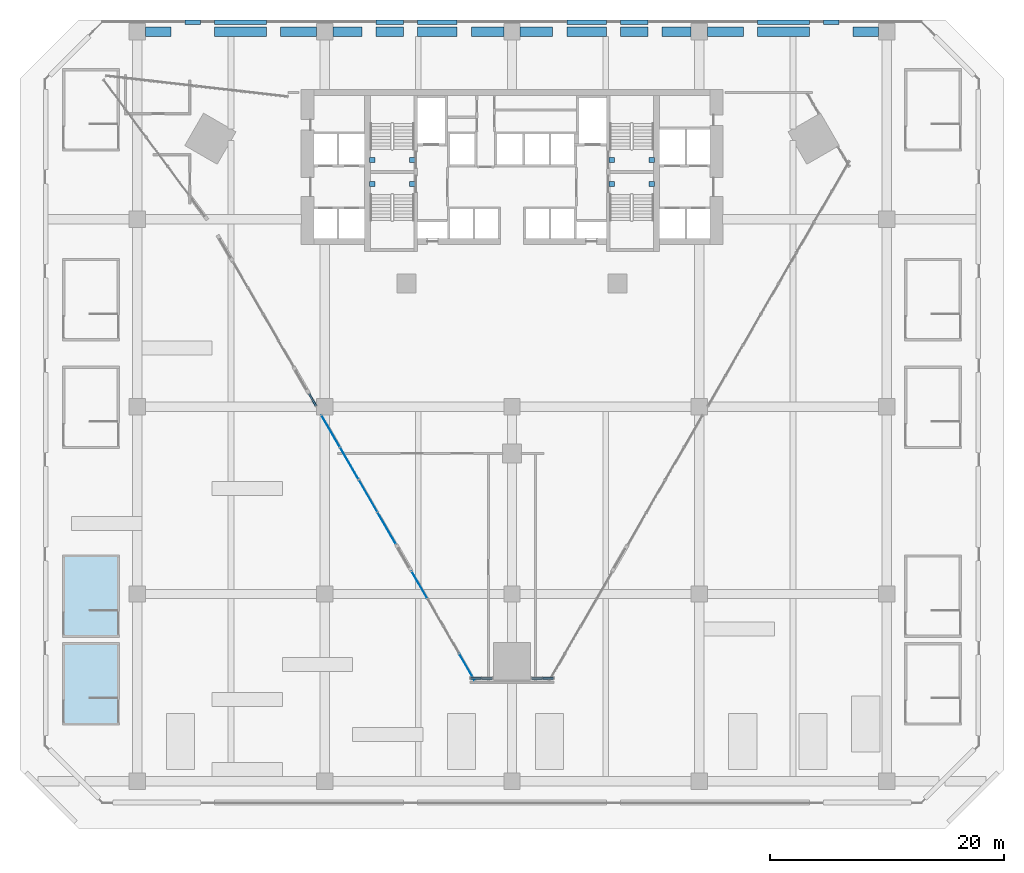
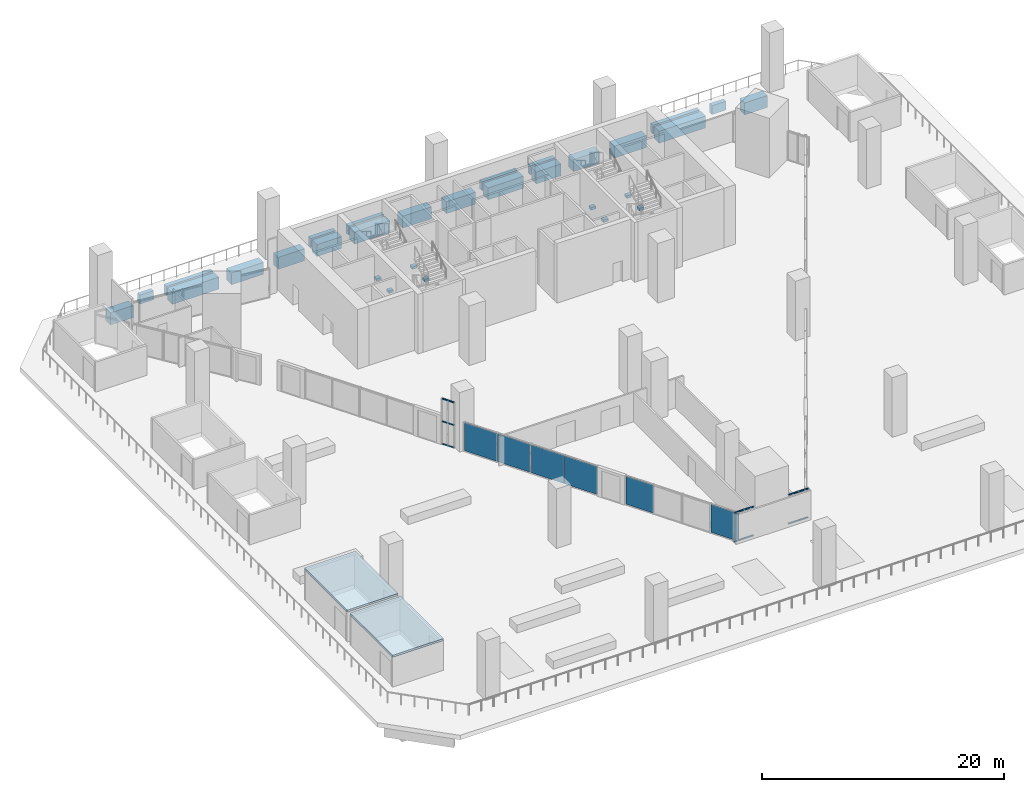
# One storey, part 13 of 25: 30 beams, 14 members, 6 plates, 2 slabs, 7 elements without a shape of their own.
"""IFC4 building model written with IfcOpenShell, lengths in metres."""

from ifc_helpers import new_model, si_unit, direction, frame, origin, origin_2d, place, context, subcontext, project, spatial, polyline, rectangle, outline, extrude, material, layer, layer_set, material_profile, profile_set, type_object, element, aggregate, save


model = new_model("IFC4")

# Units and contexts
model_context = context("Model", 3, precision=1e-05, world=origin(), true_north=direction((0.0, 1.0)))
body_context = subcontext(model_context, "Body", "Model", "MODEL_VIEW")
ifc_project = project(units=[si_unit("LENGTHUNIT", "METRE"), si_unit("AREAUNIT", "SQUARE_METRE"), si_unit("VOLUMEUNIT", "CUBIC_METRE"), si_unit("PLANEANGLEUNIT", "RADIAN"), si_unit("MASSUNIT", "GRAM", prefix="KILO")], contexts=[model_context])

# Site, building, storey
site_placement = place(None, origin())
site = spatial("IfcSite", under=ifc_project, at=site_placement, CompositionType="ELEMENT")
building_placement = place(site_placement, origin())
building = spatial("IfcBuilding", under=site, at=building_placement, Name="Calabash Gate Tower", CompositionType="ELEMENT")
storey_placement = place(building_placement, frame((0.0, 0.0, 40.0)))
storey = spatial("IfcBuildingStorey", under=building, at=storey_placement, Name="L05", CompositionType="ELEMENT", Elevation=40.0)

# Beams
ifc_material_1 = material(Name="Concrete C50/60", Category="concrete")
ifc_material_profile_1 = material_profile(ifc_material_1, rectangle(XDim=0.39990234375, YDim=0.89990234375, at=origin_2d()))
ifc_profile_set_1 = profile_set([ifc_material_profile_1], Name="Concrete C50/60")
beam_type_1 = type_object("IfcBeamType", Name="Edge beam RC 400x900 Concrete C50/60", PredefinedType="BEAM", material=ifc_profile_set_1)
beam_1_placement = place(storey_placement, frame((-27.919921875, 24.800048828125, -0.89990234375), z_axis=(1.0, 0.0, 0.0), x_axis=(0.0, 1.0, 0.0)))
element("IfcBeam", 1, at=beam_1_placement, inside=storey, type_object=beam_type_1, Name="Edge beam L05 10", PredefinedType="BEAM", context=body_context, shape_type="SweptSolid", body=[
    extrude(rectangle(XDim=0.39990234375, YDim=0.89990234375, at=origin_2d()), origin(), (0.0, 0.0, 1.0), 1.31787109375),
])
beam_2_placement = place(storey_placement, frame((-25.40087890625, 24.800048828125, -0.89990234375), z_axis=(1.0, 0.0, 0.0), x_axis=(0.0, 1.0, 0.0)))
element("IfcBeam", 2, at=beam_2_placement, inside=storey, type_object=beam_type_1, Name="Edge beam L05 11", PredefinedType="BEAM", context=body_context, shape_type="SweptSolid", body=[
    extrude(rectangle(XDim=0.39990234375, YDim=0.89990234375, at=origin_2d()), origin(), (0.0, 0.0, 1.0), 4.428955078125),
])
beam_3_placement = place(storey_placement, frame((-11.623046875, 24.800048828125, -0.89990234375), z_axis=(1.0, 0.0, 0.0), x_axis=(0.0, 1.0, 0.0)))
element("IfcBeam", 3, at=beam_3_placement, inside=storey, type_object=beam_type_1, Name="Edge beam L05 12", PredefinedType="BEAM", context=body_context, shape_type="SweptSolid", body=[
    extrude(rectangle(XDim=0.39990234375, YDim=0.89990234375, at=origin_2d()), origin(), (0.0, 0.0, 1.0), 2.35595703125),
])
for number, where, z_axis, x_axis, name in (
    (4, (-8.06689453125, 24.800048828125, -0.89990234375), (1.0, 0.0, 0.0), (0.0, 1.0, 0.0), "Edge beam L05 13"),
    (5, (4.674072265625, 24.800048828125, -0.89990234375), (1.0, 0.0, 0.0), (0.0, 1.0, 0.0), "Edge beam L05 14"),
):
    element("IfcBeam", number, at=place(storey_placement, frame(where, z_axis=z_axis, x_axis=x_axis)), inside=storey, type_object=beam_type_1, Name=name, PredefinedType="BEAM", context=body_context, shape_type="SweptSolid", body=[
        extrude(rectangle(XDim=0.39990234375, YDim=0.89990234375, at=origin_2d()), origin(), (0.0, 0.0, 1.0), 3.392822265625),
    ])
beam_4_placement = place(storey_placement, frame((9.26708984375, 24.800048828125, -0.89990234375), z_axis=(1.0, 0.0, 0.0), x_axis=(0.0, 1.0, 0.0)))
element("IfcBeam", 6, at=beam_4_placement, inside=storey, type_object=beam_type_1, Name="Edge beam L05 15", PredefinedType="BEAM", context=body_context, shape_type="SweptSolid", body=[
    extrude(rectangle(XDim=0.39990234375, YDim=0.89990234375, at=origin_2d()), origin(), (0.0, 0.0, 1.0), 2.35595703125),
])
beam_5_placement = place(storey_placement, frame((20.971923828125, 24.800048828125, -0.89990234375), z_axis=(1.0, 0.0, 0.0), x_axis=(0.0, 1.0, 0.0)))
element("IfcBeam", 7, at=beam_5_placement, inside=storey, type_object=beam_type_1, Name="Edge beam L05 16", PredefinedType="BEAM", context=body_context, shape_type="SweptSolid", body=[
    extrude(rectangle(XDim=0.39990234375, YDim=0.89990234375, at=origin_2d()), origin(), (0.0, 0.0, 1.0), 4.428955078125),
])
beam_6_placement = place(storey_placement, frame((26.60205078125, 24.800048828125, -0.89990234375), z_axis=(1.0, 0.0, 0.0), x_axis=(0.0, 1.0, 0.0)))
element("IfcBeam", 8, at=beam_6_placement, inside=storey, type_object=beam_type_1, Name="Edge beam L05 17", PredefinedType="BEAM", context=body_context, shape_type="SweptSolid", body=[
    extrude(rectangle(XDim=0.39990234375, YDim=0.89990234375, at=origin_2d()), origin(), (0.0, 0.0, 1.0), 1.31787109375),
])
ifc_material_2 = material(Name="Concrete C50/60", Category="concrete")
ifc_material_profile_2 = material_profile(ifc_material_2, rectangle(XDim=0.800048828125, YDim=1.199951171875, at=origin_2d()))
ifc_profile_set_2 = profile_set([ifc_material_profile_2], Name="Concrete C50/60")
beam_type_2 = type_object("IfcBeamType", Name="Grid girder RC 800x1200 Concrete C50/60", PredefinedType="BEAM", material=ifc_profile_set_2)
beam_7_placement = place(storey_placement, frame((-31.300048828125, 24.0, -1.050048828125), z_axis=(1.0, 0.0, 0.0), x_axis=(0.0, 1.0, 0.0)))
element("IfcBeam", 9, at=beam_7_placement, inside=storey, type_object=beam_type_2, Name="Grid girder L05 42", PredefinedType="BEAM", context=body_context, shape_type="SweptSolid", body=[
    extrude(rectangle(XDim=0.800048828125, YDim=1.199951171875, at=origin_2d()), origin(), (0.0, 0.0, 1.0), 2.179931640625),
])
beam_8_placement = place(storey_placement, frame((-25.40087890625, 24.0, -1.050048828125), z_axis=(1.0, 0.0, 0.0), x_axis=(0.0, 1.0, 0.0)))
element("IfcBeam", 10, at=beam_8_placement, inside=storey, type_object=beam_type_2, Name="Grid girder L05 43", PredefinedType="BEAM", context=body_context, shape_type="SweptSolid", body=[
    extrude(rectangle(XDim=0.800048828125, YDim=1.199951171875, at=origin_2d()), origin(), (0.0, 0.0, 1.0), 4.428955078125),
])
beam_9_placement = place(storey_placement, frame((-19.77099609375, 24.0, -1.050048828125), z_axis=(1.0, 0.0, 0.0), x_axis=(0.0, 1.0, 0.0)))
element("IfcBeam", 11, at=beam_9_placement, inside=storey, type_object=beam_type_2, Name="Grid girder L05 44", PredefinedType="BEAM", context=body_context, shape_type="SweptSolid", body=[
    extrude(rectangle(XDim=0.800048828125, YDim=1.199951171875, at=origin_2d()), origin(), (0.0, 0.0, 1.0), 3.071044921875),
])
beam_10_placement = place(storey_placement, frame((-15.300048828125, 24.0, -1.050048828125), z_axis=(1.0, 0.0, 0.0), x_axis=(0.0, 1.0, 0.0)))
element("IfcBeam", 12, at=beam_10_placement, inside=storey, type_object=beam_type_2, Name="Grid girder L05 45", PredefinedType="BEAM", context=body_context, shape_type="SweptSolid", body=[
    extrude(rectangle(XDim=0.800048828125, YDim=1.199951171875, at=origin_2d()), origin(), (0.0, 0.0, 1.0), 2.47705078125),
])
beam_11_placement = place(storey_placement, frame((-11.623046875, 24.0, -1.050048828125), z_axis=(1.0, 0.0, 0.0), x_axis=(0.0, 1.0, 0.0)))
element("IfcBeam", 13, at=beam_11_placement, inside=storey, type_object=beam_type_2, Name="Grid girder L05 46", PredefinedType="BEAM", context=body_context, shape_type="SweptSolid", body=[
    extrude(rectangle(XDim=0.800048828125, YDim=1.199951171875, at=origin_2d()), origin(), (0.0, 0.0, 1.0), 2.35595703125),
])
beam_12_placement = place(storey_placement, frame((-8.06689453125, 24.0, -1.050048828125), z_axis=(1.0, 0.0, 0.0), x_axis=(0.0, 1.0, 0.0)))
element("IfcBeam", 14, at=beam_12_placement, inside=storey, type_object=beam_type_2, Name="Grid girder L05 47", PredefinedType="BEAM", context=body_context, shape_type="SweptSolid", body=[
    extrude(rectangle(XDim=0.800048828125, YDim=1.199951171875, at=origin_2d()), origin(), (0.0, 0.0, 1.0), 3.392822265625),
])
for number, where, z_axis, x_axis, name in (
    (15, (-3.47412109375, 24.0, -1.050048828125), (1.0, 0.0, 0.0), (0.0, 1.0, 0.0), "Grid girder L05 48"),
    (16, (0.699951171875, 24.0, -1.050048828125), (1.0, 0.0, 0.0), (0.0, 1.0, 0.0), "Grid girder L05 49"),
):
    element("IfcBeam", number, at=place(storey_placement, frame(where, z_axis=z_axis, x_axis=x_axis)), inside=storey, type_object=beam_type_2, Name=name, PredefinedType="BEAM", context=body_context, shape_type="SweptSolid", body=[
        extrude(rectangle(XDim=0.800048828125, YDim=1.199951171875, at=origin_2d()), origin(), (0.0, 0.0, 1.0), 2.774169921875),
    ])
beam_13_placement = place(storey_placement, frame((4.674072265625, 24.0, -1.050048828125), z_axis=(1.0, 0.0, 0.0), x_axis=(0.0, 1.0, 0.0)))
element("IfcBeam", 17, at=beam_13_placement, inside=storey, type_object=beam_type_2, Name="Grid girder L05 50", PredefinedType="BEAM", context=body_context, shape_type="SweptSolid", body=[
    extrude(rectangle(XDim=0.800048828125, YDim=1.199951171875, at=origin_2d()), origin(), (0.0, 0.0, 1.0), 3.392822265625),
])
beam_14_placement = place(storey_placement, frame((9.26708984375, 24.0, -1.050048828125), z_axis=(1.0, 0.0, 0.0), x_axis=(0.0, 1.0, 0.0)))
element("IfcBeam", 18, at=beam_14_placement, inside=storey, type_object=beam_type_2, Name="Grid girder L05 51", PredefinedType="BEAM", context=body_context, shape_type="SweptSolid", body=[
    extrude(rectangle(XDim=0.800048828125, YDim=1.199951171875, at=origin_2d()), origin(), (0.0, 0.0, 1.0), 2.35595703125),
])
beam_15_placement = place(storey_placement, frame((12.822998046875, 24.0, -1.050048828125), z_axis=(1.0, 0.0, 0.0), x_axis=(0.0, 1.0, 0.0)))
element("IfcBeam", 19, at=beam_15_placement, inside=storey, type_object=beam_type_2, Name="Grid girder L05 52", PredefinedType="BEAM", context=body_context, shape_type="SweptSolid", body=[
    extrude(rectangle(XDim=0.800048828125, YDim=1.199951171875, at=origin_2d()), origin(), (0.0, 0.0, 1.0), 2.47705078125),
])
beam_16_placement = place(storey_placement, frame((16.699951171875, 24.0, -1.050048828125), z_axis=(1.0, 0.0, 0.0), x_axis=(0.0, 1.0, 0.0)))
element("IfcBeam", 20, at=beam_16_placement, inside=storey, type_object=beam_type_2, Name="Grid girder L05 53", PredefinedType="BEAM", context=body_context, shape_type="SweptSolid", body=[
    extrude(rectangle(XDim=0.800048828125, YDim=1.199951171875, at=origin_2d()), origin(), (0.0, 0.0, 1.0), 3.071044921875),
])
beam_17_placement = place(storey_placement, frame((20.971923828125, 24.0, -1.050048828125), z_axis=(1.0, 0.0, 0.0), x_axis=(0.0, 1.0, 0.0)))
element("IfcBeam", 21, at=beam_17_placement, inside=storey, type_object=beam_type_2, Name="Grid girder L05 54", PredefinedType="BEAM", context=body_context, shape_type="SweptSolid", body=[
    extrude(rectangle(XDim=0.800048828125, YDim=1.199951171875, at=origin_2d()), origin(), (0.0, 0.0, 1.0), 4.428955078125),
])
beam_18_placement = place(storey_placement, frame((29.1201171875, 24.0, -1.050048828125), z_axis=(1.0, 0.0, 0.0), x_axis=(0.0, 1.0, 0.0)))
element("IfcBeam", 22, at=beam_18_placement, inside=storey, type_object=beam_type_2, Name="Grid girder L05 55", PredefinedType="BEAM", context=body_context, shape_type="SweptSolid", body=[
    extrude(rectangle(XDim=0.800048828125, YDim=1.199951171875, at=origin_2d()), origin(), (0.0, 0.0, 1.0), 2.179931640625),
])
ifc_material_3 = material(Name="Concrete C60/75", Category="concrete")
ifc_material_profile_3 = material_profile(ifc_material_3, rectangle(XDim=0.39990234375, YDim=0.25, at=origin_2d()))
ifc_profile_set_3 = profile_set([ifc_material_profile_3], Name="Concrete C60/75")
beam_type_3 = type_object("IfcBeamType", Name="Landing corbel RC 400x250 Concrete C60/75", PredefinedType="BEAM", material=ifc_profile_set_3)
for number, where, z_axis, x_axis, name in (
    (23, (-12.14990234375, 13.052978515625, 2.674072265625), (1.0, 0.0, 0.0), (0.0, 1.0, 0.0), "Landing corbel ST1-L05/L2 west"),
    (24, (-8.300048828125, 13.052978515625, 2.674072265625), (-1.0, 0.0, 0.0), (0.0, -1.0, 0.0), "Landing corbel ST1-L05/L2 east"),
    (25, (-12.14990234375, 11.0029296875, 2.674072265625), (1.0, 0.0, 0.0), (0.0, 1.0, 0.0), "Landing corbel ST2-L05/L2 west"),
    (26, (-8.300048828125, 11.0029296875, 2.674072265625), (-1.0, 0.0, 0.0), (0.0, -1.0, 0.0), "Landing corbel ST2-L05/L2 east"),
    (27, (8.300048828125, 13.052978515625, 2.674072265625), (1.0, 0.0, 0.0), (0.0, 1.0, 0.0), "Landing corbel ST3-L05/L2 west"),
    (28, (12.14990234375, 13.052978515625, 2.674072265625), (-1.0, 0.0, 0.0), (0.0, -1.0, 0.0), "Landing corbel ST3-L05/L2 east"),
    (29, (8.300048828125, 11.0029296875, 2.674072265625), (1.0, 0.0, 0.0), (0.0, 1.0, 0.0), "Landing corbel ST4-L05/L2 west"),
    (30, (12.14990234375, 11.0029296875, 2.674072265625), (-1.0, 0.0, 0.0), (0.0, -1.0, 0.0), "Landing corbel ST4-L05/L2 east"),
):
    element("IfcBeam", number, at=place(storey_placement, frame(where, z_axis=z_axis, x_axis=x_axis)), inside=storey, type_object=beam_type_3, Name=name, PredefinedType="BEAM", context=body_context, shape_type="SweptSolid", body=[
        extrude(rectangle(XDim=0.39990234375, YDim=0.25, at=origin_2d()), origin(), (0.0, 0.0, 1.0), 0.449951171875),
    ])

# Curtain wall, members
ifc_material_4 = material(Name="Anodised aluminium frame, bronze finish, clear laminated impact-rated glazing", Category="aluminium")
curtain_wall_type = type_object("IfcCurtainWallType", Name="Curtain wall CWF podium shopfront", PredefinedType="NOTDEFINED", material=ifc_material_4)
curtain_wall_1_placement = place(storey_placement, origin())
curtain_wall_1 = element("IfcCurtainWall", 31, at=curtain_wall_1_placement, inside=storey, type_object=curtain_wall_type, Name="Curtain wall CWF L05 lobby 0.1.0", PredefinedType="NOTDEFINED")
ifc_material_5 = material(Name="Anodised aluminium frame, bronze finish", Category="aluminium")
ifc_material_profile_4 = material_profile(ifc_material_5, rectangle(XDim=0.14990234375, YDim=0.06494140625, at=origin_2d()))
ifc_profile_set_4 = profile_set([ifc_material_profile_4], Name="Anodised aluminium frame, bronze finish")
member_type = type_object("IfcMemberType", Name="Transom CWF 65x150", PredefinedType="USERDEFINED", material=ifc_profile_set_4)
member_1_placement = place(storey_placement, frame((-17.304931640625, -6.931884765625, 0.032470703125), z_axis=(0.499604598705, -0.866253568508, 0.0), x_axis=(0.866253568508, 0.499604598705, 0.0)))
member_1 = element("IfcMember", 32, at=member_1_placement, type_object=member_type, Name="CWF transom 1.1", ObjectType="TRANSOM", PredefinedType="USERDEFINED", context=body_context, shape_type="SweptSolid", body=[
    extrude(rectangle(XDim=0.14990234375, YDim=0.06494140625, at=origin_2d()), origin(), (0.0, 0.0, 1.0), 0.5380859375),
])
member_2_placement = place(storey_placement, frame((-17.304931640625, -6.931884765625, 2.300048828125), z_axis=(0.499604598705, -0.866253568508, 0.0), x_axis=(0.866253568508, 0.499604598705, 0.0)))
member_2 = element("IfcMember", 33, at=member_2_placement, type_object=member_type, Name="CWF transom 1.2", ObjectType="TRANSOM", PredefinedType="USERDEFINED", context=body_context, shape_type="SweptSolid", body=[
    extrude(rectangle(XDim=0.14990234375, YDim=0.06494140625, at=origin_2d()), origin(), (0.0, 0.0, 1.0), 0.5380859375),
])
member_3_placement = place(storey_placement, frame((-17.304931640625, -6.931884765625, 4.5673828125), z_axis=(0.499604598705, -0.866253568508, 0.0), x_axis=(0.866253568508, 0.499604598705, 0.0)))
member_3 = element("IfcMember", 34, at=member_3_placement, type_object=member_type, Name="CWF transom 1.3", ObjectType="TRANSOM", PredefinedType="USERDEFINED", context=body_context, shape_type="SweptSolid", body=[
    extrude(rectangle(XDim=0.14990234375, YDim=0.06494140625, at=origin_2d()), origin(), (0.0, 0.0, 1.0), 0.5380859375),
])
member_4_placement = place(storey_placement, frame((-17.00341796875, -7.4541015625, 0.032470703125), z_axis=(0.499604598705, -0.866253568508, 0.0), x_axis=(0.866253568508, 0.499604598705, 0.0)))
member_4 = element("IfcMember", 35, at=member_4_placement, type_object=member_type, Name="CWF transom 2.1", ObjectType="TRANSOM", PredefinedType="USERDEFINED", context=body_context, shape_type="SweptSolid", body=[
    extrude(rectangle(XDim=0.14990234375, YDim=0.06494140625, at=origin_2d()), origin(), (0.0, 0.0, 1.0), 0.5380859375),
])
member_5_placement = place(storey_placement, frame((-17.00341796875, -7.4541015625, 2.300048828125), z_axis=(0.499604598705, -0.866253568508, 0.0), x_axis=(0.866253568508, 0.499604598705, 0.0)))
member_5 = element("IfcMember", 36, at=member_5_placement, type_object=member_type, Name="CWF transom 2.2", ObjectType="TRANSOM", PredefinedType="USERDEFINED", context=body_context, shape_type="SweptSolid", body=[
    extrude(rectangle(XDim=0.14990234375, YDim=0.06494140625, at=origin_2d()), origin(), (0.0, 0.0, 1.0), 0.5380859375),
])
member_6_placement = place(storey_placement, frame((-17.00341796875, -7.4541015625, 4.5673828125), z_axis=(0.499604598705, -0.866253568508, 0.0), x_axis=(0.866253568508, 0.499604598705, 0.0)))
member_6 = element("IfcMember", 37, at=member_6_placement, type_object=member_type, Name="CWF transom 2.3", ObjectType="TRANSOM", PredefinedType="USERDEFINED", context=body_context, shape_type="SweptSolid", body=[
    extrude(rectangle(XDim=0.14990234375, YDim=0.06494140625, at=origin_2d()), origin(), (0.0, 0.0, 1.0), 0.5380859375),
])
aggregate(curtain_wall_1, [member_1, member_2, member_3, member_4, member_5, member_6])

curtain_wall_2_placement = place(storey_placement, origin())
curtain_wall_2 = element("IfcCurtainWall", 38, at=curtain_wall_2_placement, inside=storey, type_object=curtain_wall_type, Name="Curtain wall CWF L05 lobby 1.0.0", PredefinedType="NOTDEFINED")
member_7_placement = place(storey_placement, frame((-3.534912109375, -31.18310546875, 0.032470703125), z_axis=(1.0, 0.0, 0.0), x_axis=(0.0, 1.0, 0.0)))
member_7 = element("IfcMember", 39, at=member_7_placement, type_object=member_type, Name="CWF transom 1.1", ObjectType="TRANSOM", PredefinedType="USERDEFINED", context=body_context, shape_type="SweptSolid", body=[
    extrude(rectangle(XDim=0.14990234375, YDim=0.06494140625, at=origin_2d()), origin(), (0.0, 0.0, 1.0), 0.9013671875),
])
member_8_placement = place(storey_placement, frame((-3.534912109375, -31.18310546875, 2.91748046875), z_axis=(1.0, 0.0, 0.0), x_axis=(0.0, 1.0, 0.0)))
member_8 = element("IfcMember", 40, at=member_8_placement, type_object=member_type, Name="CWF transom 1.2", ObjectType="TRANSOM", PredefinedType="USERDEFINED", context=body_context, shape_type="SweptSolid", body=[
    extrude(rectangle(XDim=0.14990234375, YDim=0.06494140625, at=origin_2d()), origin(), (0.0, 0.0, 1.0), 0.9013671875),
])
member_9_placement = place(storey_placement, frame((-2.568603515625, -31.18310546875, 0.032470703125), z_axis=(1.0, 0.0, 0.0), x_axis=(0.0, 1.0, 0.0)))
member_9 = element("IfcMember", 41, at=member_9_placement, type_object=member_type, Name="CWF transom 2.1", ObjectType="TRANSOM", PredefinedType="USERDEFINED", context=body_context, shape_type="SweptSolid", body=[
    extrude(rectangle(XDim=0.14990234375, YDim=0.06494140625, at=origin_2d()), origin(), (0.0, 0.0, 1.0), 0.901611328125),
])
member_10_placement = place(storey_placement, frame((-2.568603515625, -31.18310546875, 2.91748046875), z_axis=(1.0, 0.0, 0.0), x_axis=(0.0, 1.0, 0.0)))
member_10 = element("IfcMember", 42, at=member_10_placement, type_object=member_type, Name="CWF transom 2.2", ObjectType="TRANSOM", PredefinedType="USERDEFINED", context=body_context, shape_type="SweptSolid", body=[
    extrude(rectangle(XDim=0.14990234375, YDim=0.06494140625, at=origin_2d()), origin(), (0.0, 0.0, 1.0), 0.901611328125),
])
aggregate(curtain_wall_2, [member_7, member_8, member_9, member_10])

curtain_wall_3_placement = place(storey_placement, origin())
curtain_wall_3 = element("IfcCurtainWall", 43, at=curtain_wall_3_placement, inside=storey, type_object=curtain_wall_type, Name="Curtain wall CWF L05 lobby 1.1.0", PredefinedType="NOTDEFINED")
member_11_placement = place(storey_placement, frame((1.6669921875, -31.18310546875, 0.032470703125), z_axis=(1.0, 0.0, 0.0), x_axis=(0.0, 1.0, 0.0)))
member_11 = element("IfcMember", 44, at=member_11_placement, type_object=member_type, Name="CWF transom 1.1", ObjectType="TRANSOM", PredefinedType="USERDEFINED", context=body_context, shape_type="SweptSolid", body=[
    extrude(rectangle(XDim=0.14990234375, YDim=0.06494140625, at=origin_2d()), origin(), (0.0, 0.0, 1.0), 0.901611328125),
])
member_12_placement = place(storey_placement, frame((1.6669921875, -31.18310546875, 2.91748046875), z_axis=(1.0, 0.0, 0.0), x_axis=(0.0, 1.0, 0.0)))
member_12 = element("IfcMember", 45, at=member_12_placement, type_object=member_type, Name="CWF transom 1.2", ObjectType="TRANSOM", PredefinedType="USERDEFINED", context=body_context, shape_type="SweptSolid", body=[
    extrude(rectangle(XDim=0.14990234375, YDim=0.06494140625, at=origin_2d()), origin(), (0.0, 0.0, 1.0), 0.901611328125),
])
member_13_placement = place(storey_placement, frame((2.633544921875, -31.18310546875, 0.032470703125), z_axis=(1.0, 0.0, 0.0), x_axis=(0.0, 1.0, 0.0)))
member_13 = element("IfcMember", 46, at=member_13_placement, type_object=member_type, Name="CWF transom 2.1", ObjectType="TRANSOM", PredefinedType="USERDEFINED", context=body_context, shape_type="SweptSolid", body=[
    extrude(rectangle(XDim=0.14990234375, YDim=0.06494140625, at=origin_2d()), origin(), (0.0, 0.0, 1.0), 0.9013671875),
])
member_14_placement = place(storey_placement, frame((2.633544921875, -31.18310546875, 2.91748046875), z_axis=(1.0, 0.0, 0.0), x_axis=(0.0, 1.0, 0.0)))
member_14 = element("IfcMember", 47, at=member_14_placement, type_object=member_type, Name="CWF transom 2.2", ObjectType="TRANSOM", PredefinedType="USERDEFINED", context=body_context, shape_type="SweptSolid", body=[
    extrude(rectangle(XDim=0.14990234375, YDim=0.06494140625, at=origin_2d()), origin(), (0.0, 0.0, 1.0), 0.9013671875),
])
aggregate(curtain_wall_3, [member_11, member_12, member_13, member_14])

# Curtain wall, plates
curtain_wall_4_placement = place(storey_placement, origin())
curtain_wall_4 = element("IfcCurtainWall", 48, at=curtain_wall_4_placement, inside=storey, type_object=curtain_wall_type, Name="Curtain wall CWF L05 lobby 0.2.0", PredefinedType="NOTDEFINED")
ifc_material_6 = material(Name="Clear laminated impact-rated glazing", Category="glass")
ifc_layer_1 = layer(ifc_material_6, 0.035888671875)
ifc_layer_set_1 = layer_set([ifc_layer_1], Name="Glass panel CWF 36")
plate_type = type_object("IfcPlateType", Name="Glass panel CWF 36", PredefinedType="CURTAIN_PANEL", material=ifc_layer_set_1)
plate_1_placement = place(storey_placement, frame((-15.4755859375, -10.1005859375, 0.06494140625), z_axis=(0.0, 0.0, 1.0), x_axis=(0.500000087894, -0.866025353039, 0.0)))
plate_1 = element("IfcPlate", 49, at=plate_1_placement, type_object=plate_type, Name="CWF panel 1.1", PredefinedType="CURTAIN_PANEL", context=body_context, shape_type="SweptSolid", body=[
    extrude(rectangle(XDim=3.10009765625, YDim=0.035888671875, at=origin_2d()), origin(), (0.0, 0.0, 1.0), 2.820068359375),
])
plate_2_placement = place(storey_placement, frame((-13.89306640625, -12.841796875, 0.06494140625), z_axis=(0.0, 0.0, 1.0), x_axis=(0.500000087894, -0.866025353039, 0.0)))
plate_2 = element("IfcPlate", 50, at=plate_2_placement, type_object=plate_type, Name="CWF panel 2.1", PredefinedType="CURTAIN_PANEL", context=body_context, shape_type="SweptSolid", body=[
    extrude(rectangle(XDim=3.10009765625, YDim=0.035888671875, at=origin_2d()), origin(), (0.0, 0.0, 1.0), 2.820068359375),
])
aggregate(curtain_wall_4, [plate_1, plate_2])

curtain_wall_5_placement = place(storey_placement, origin())
curtain_wall_5 = element("IfcCurtainWall", 51, at=curtain_wall_5_placement, inside=storey, type_object=curtain_wall_type, Name="Curtain wall CWF L05 lobby 0.2.1", PredefinedType="NOTDEFINED")
plate_3_placement = place(storey_placement, frame((-12.27783203125, -15.63916015625, 0.06494140625), z_axis=(0.0, 0.0, 1.0), x_axis=(0.499999970616, -0.866025420749, 0.0)))
plate_3 = element("IfcPlate", 52, at=plate_3_placement, type_object=plate_type, Name="CWF panel 1.1", PredefinedType="CURTAIN_PANEL", context=body_context, shape_type="SweptSolid", body=[
    extrude(rectangle(XDim=3.10009765625, YDim=0.035888671875, at=origin_2d()), origin(), (0.0, 0.0, 1.0), 2.820068359375),
])
plate_4_placement = place(storey_placement, frame((-10.6953125, -18.38037109375, 0.06494140625), z_axis=(0.0, 0.0, 1.0), x_axis=(0.499999970616, -0.866025420749, 0.0)))
plate_4 = element("IfcPlate", 53, at=plate_4_placement, type_object=plate_type, Name="CWF panel 2.1", PredefinedType="CURTAIN_PANEL", context=body_context, shape_type="SweptSolid", body=[
    extrude(rectangle(XDim=3.10009765625, YDim=0.035888671875, at=origin_2d()), origin(), (0.0, 0.0, 1.0), 2.820068359375),
])
aggregate(curtain_wall_5, [plate_3, plate_4])

# Curtain wall, plate
curtain_wall_6_placement = place(storey_placement, origin())
curtain_wall_6 = element("IfcCurtainWall", 54, at=curtain_wall_6_placement, inside=storey, type_object=curtain_wall_type, Name="Curtain wall CWF L05 lobby 0.3.0", PredefinedType="NOTDEFINED")
plate_5_placement = place(storey_placement, frame((-7.900634765625, -23.220947265625, 0.06494140625), z_axis=(0.0, 0.0, 1.0), x_axis=(0.500000013876, -0.866025395773, 0.0)))
plate_5 = element("IfcPlate", 55, at=plate_5_placement, type_object=plate_type, Name="CWF panel 1.1", PredefinedType="CURTAIN_PANEL", context=body_context, shape_type="SweptSolid", body=[
    extrude(rectangle(XDim=2.61865234375, YDim=0.035888671875, at=origin_2d()), origin(), (0.0, 0.0, 1.0), 2.820068359375),
])
aggregate(curtain_wall_6, [plate_5])

curtain_wall_7_placement = place(storey_placement, origin())
curtain_wall_7 = element("IfcCurtainWall", 56, at=curtain_wall_7_placement, inside=storey, type_object=curtain_wall_type, Name="Curtain wall CWF L05 lobby 0.3.1", PredefinedType="NOTDEFINED")
plate_6_placement = place(storey_placement, frame((-3.842529296875, -30.24951171875, 0.06494140625), z_axis=(0.0, 0.0, 1.0), x_axis=(0.499999934159, -0.866025441798, 0.0)))
plate_6 = element("IfcPlate", 57, at=plate_6_placement, type_object=plate_type, Name="CWF panel 2.1", PredefinedType="CURTAIN_PANEL", context=body_context, shape_type="SweptSolid", body=[
    extrude(rectangle(XDim=2.61865234375, YDim=0.035888671875, at=origin_2d()), origin(), (0.0, 0.0, 1.0), 2.820068359375),
])
aggregate(curtain_wall_7, [plate_6])

# Slabs
ifc_material_7 = material(Name="Concrete C40/50", Category="concrete")
ifc_layer_2 = layer(ifc_material_7, 0.199951171875)
ifc_layer_set_2 = layer_set([ifc_layer_2], Name="Stair head house roof 200")
slab_type = type_object("IfcSlabType", Name="Stair head house roof 200", PredefinedType="ROOF", material=ifc_layer_set_2)
slab_1_placement = place(storey_placement, frame((0.0, 0.0, 3.0)))
element("IfcSlab", 58, at=slab_1_placement, inside=storey, type_object=slab_type, Name="Head house roof PS1", PredefinedType="ROOF", context=body_context, shape_type="SweptSolid", body=[
    extrude(outline(polyline([(-33.5, -35.199951171875), (-38.3701171875, -35.199951171875), (-38.3701171875, -28.14990234375), (-33.5, -28.14990234375), (-33.5, -35.199951171875)])), origin(), (0.0, 0.0, 1.0), 0.199951171875),
])
slab_2_placement = place(storey_placement, frame((0.0, 0.0, 3.0)))
element("IfcSlab", 59, at=slab_2_placement, inside=storey, type_object=slab_type, Name="Head house roof PS2", PredefinedType="ROOF", context=body_context, shape_type="SweptSolid", body=[
    extrude(outline(polyline([(-33.5, -27.699951171875), (-38.3701171875, -27.699951171875), (-38.3701171875, -20.64990234375), (-33.5, -20.64990234375), (-33.5, -27.699951171875)])), origin(), (0.0, 0.0, 1.0), 0.199951171875),
])

save(model, "model.ifc")
